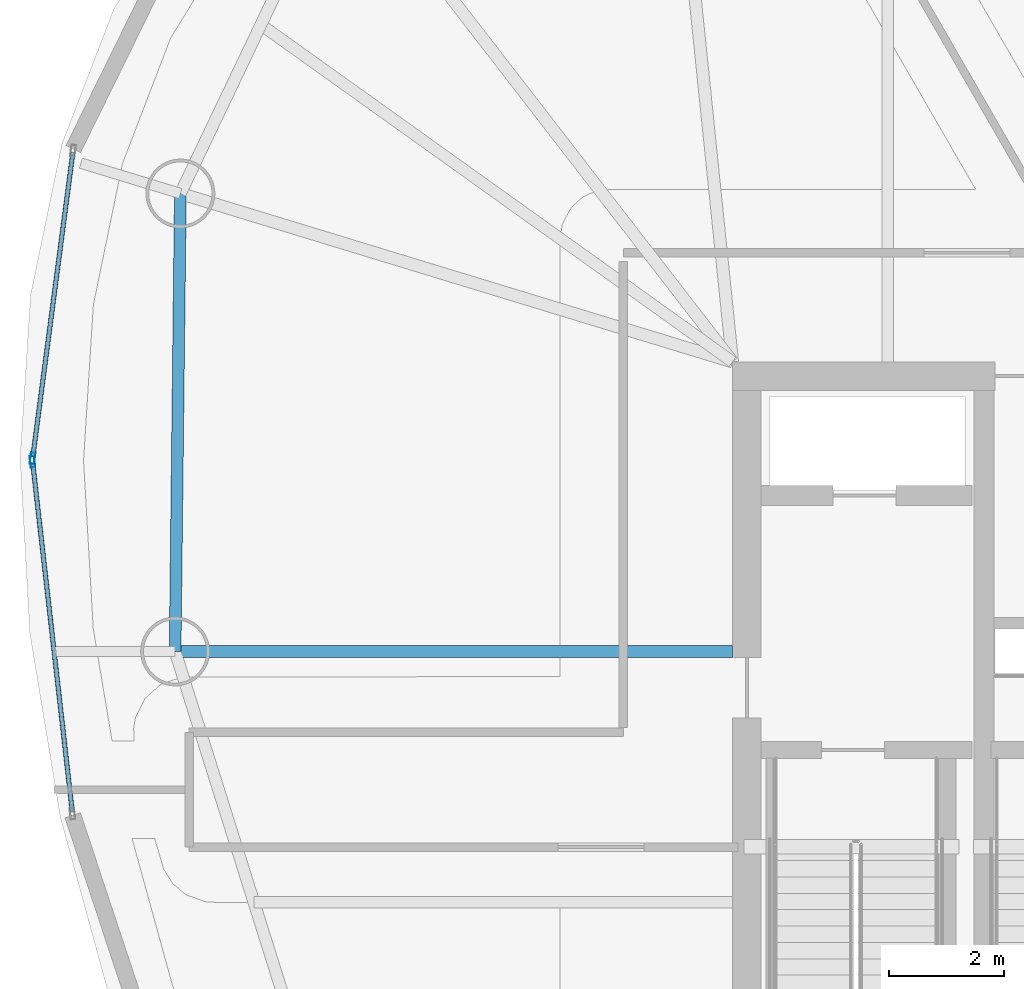
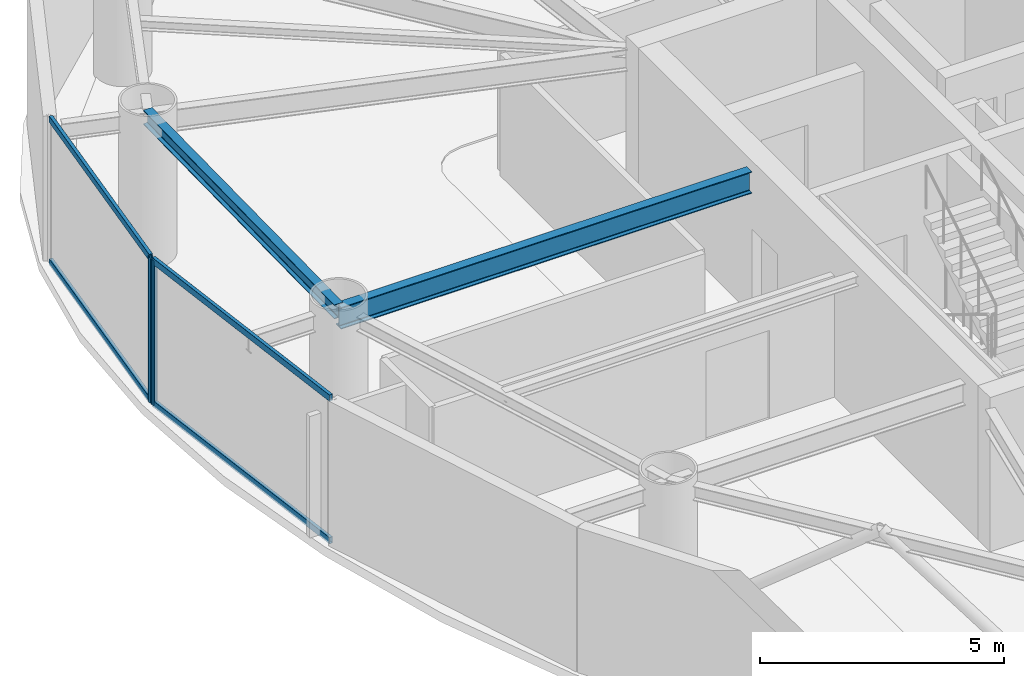
# One storey, part 5 of 20: 6 members, 2 beams, 2 elements without a shape of their own.
"""IFC4 building model written with IfcOpenShell, lengths in metres."""

from ifc_helpers import new_model, si_unit, direction, frame, origin, origin_2d, place, context, subcontext, project, spatial, hollow_rectangle, i_section, extrude, material, layer, layer_set, material_profile, profile_set, type_object, element, aggregate, save


model = new_model("IFC4")

# Units and contexts
model_context = context("Model", 3, precision=1e-05, world=origin(), true_north=direction((0.0, 1.0)))
body_context = subcontext(model_context, "Body", "Model", "MODEL_VIEW")
ifc_project = project(units=[si_unit("LENGTHUNIT", "METRE"), si_unit("AREAUNIT", "SQUARE_METRE"), si_unit("VOLUMEUNIT", "CUBIC_METRE"), si_unit("PLANEANGLEUNIT", "RADIAN"), si_unit("MASSUNIT", "GRAM", prefix="KILO")], contexts=[model_context])

# Site, building, storey
site_placement = place(None, origin())
site = spatial("IfcSite", under=ifc_project, at=site_placement, CompositionType="ELEMENT")
building_placement = place(site_placement, origin())
building = spatial("IfcBuilding", under=site, at=building_placement, Name="Bramvorn Convention Spire", CompositionType="ELEMENT")
storey_placement = place(building_placement, frame((0.0, 0.0, 178.89990234375)))
storey = spatial("IfcBuildingStorey", under=building, at=storey_placement, Name="L45", CompositionType="ELEMENT", Elevation=178.89990234375)

# Beams
ifc_material_1 = material(Name="Steel CSA G40.21 Grade 350 (350W)", Category="steel")
ifc_material_profile_1 = material_profile(ifc_material_1, i_section(OverallWidth=0.205078125, OverallDepth=0.35400390625, WebThickness=0.009521484375, FlangeThickness=0.016845703125, FilletRadius=0.014892578125, at=origin_2d()))
ifc_profile_set_1 = profile_set([ifc_material_profile_1], Name="Steel CSA G40.21 Grade 350 (350W) - W360X79")
beam_type_1 = type_object("IfcBeamType", Name="BM-W360X79", PredefinedType="JOIST", material=ifc_profile_set_1)
beam_1_placement = place(storey_placement, frame((17.136962890625, 36.380615234375, 3.443115234375), z_axis=(-0.011480475367, -0.999934097171, 0.0), x_axis=(0.999934097171, -0.011480475367, 0.0)))
element("IfcBeam", 1, at=beam_1_placement, inside=storey, type_object=beam_type_1, Name="L45 mega-column ring beam 10", PredefinedType="JOIST", context=body_context, shape_type="SweptSolid", body=[
    extrude(i_section(OverallWidth=0.205078125, OverallDepth=0.35400390625, WebThickness=0.009521484375, FlangeThickness=0.016845703125, FilletRadius=0.014892578125, at=origin_2d()), origin(), (0.0, 0.0, 1.0), 7.974609375),
])
ifc_material_profile_2 = material_profile(ifc_material_1, i_section(OverallWidth=0.2119140625, OverallDepth=0.5439453125, WebThickness=0.01318359375, FlangeThickness=0.021240234375, FilletRadius=0.01904296875, at=origin_2d()))
ifc_profile_set_2 = profile_set([ifc_material_profile_2], Name="Steel CSA G40.21 Grade 350 (350W) - W530X123")
beam_type_2 = type_object("IfcBeamType", Name="BM-W530X123", PredefinedType="BEAM", material=ifc_profile_set_2)
beam_2_placement = place(storey_placement, frame((26.75, 28.406494140625, 3.31298828125), z_axis=(-1.0, 0.0, 0.0), x_axis=(0.0, -1.0, 0.0)))
element("IfcBeam", 2, at=beam_2_placement, inside=storey, type_object=beam_type_2, Name="L45 Sky-Garden back-span radial girder MC11", PredefinedType="BEAM", context=body_context, shape_type="SweptSolid", body=[
    extrude(i_section(OverallWidth=0.2119140625, OverallDepth=0.5439453125, WebThickness=0.01318359375, FlangeThickness=0.021240234375, FilletRadius=0.01904296875, at=origin_2d()), origin(), (0.0, 0.0, 1.0), 9.70458984375),
])

# Curtain wall, member
ifc_material_2 = material(Name="Anodised Bronze Unitised Curtain Wall", Category="aluminium")
ifc_layer = layer(ifc_material_2, 0.179931640625)
ifc_layer_set = layer_set([ifc_layer], Name="Anodised Bronze Unitised Curtain Wall - CW-OFF-FRIT")
curtain_wall_type = type_object("IfcCurtainWallType", Name="CW-OFF-FRIT", PredefinedType="USERDEFINED", material=ifc_layer_set)
curtain_wall_1_placement = place(storey_placement, origin())
curtain_wall_1 = element("IfcCurtainWall", 3, at=curtain_wall_1_placement, inside=storey, type_object=curtain_wall_type, Name="L45 fritted glass curtain wall 14", ObjectType="UNITISED CURTAIN WALL", PredefinedType="USERDEFINED")
ifc_material_3 = material(Name="Anodised Bronze Aluminium 6063-T6", Category="aluminium")
ifc_material_profile_3 = material_profile(ifc_material_3, hollow_rectangle(XDim=0.080078125, YDim=0.199951171875, WallThickness=0.00390625, InnerFilletRadius=0.0009765625, OuterFilletRadius=0.00390625, at=origin_2d()))
ifc_profile_set_3 = profile_set([ifc_material_profile_3], Name="Anodised Bronze Aluminium 6063-T6 - CWM80X200")
member_type_1 = type_object("IfcMemberType", Name="CW-MUL-180", PredefinedType="MULLION", material=ifc_profile_set_3)
member_1_placement = place(storey_placement, frame((14.564208984375, 31.768798828125, 0.0), z_axis=(0.0, 0.0, 1.0), x_axis=(-0.991453548082, 0.130460193143, 0.0)))
member_1 = element("IfcMember", 4, at=member_1_placement, type_object=member_type_1, Name="CW3 mullion 1", PredefinedType="MULLION", context=body_context, shape_type="SweptSolid", body=[
    extrude(hollow_rectangle(XDim=0.080078125, YDim=0.199951171875, WallThickness=0.00390625, InnerFilletRadius=0.0009765625, OuterFilletRadius=0.00390625, at=origin_2d()), origin(), (0.0, 0.0, 1.0), 3.6201171875),
])

curtain_wall_2_placement = place(storey_placement, origin())
curtain_wall_2 = element("IfcCurtainWall", 5, at=curtain_wall_2_placement, inside=storey, type_object=curtain_wall_type, Name="L45 fritted glass curtain wall 15", ObjectType="UNITISED CURTAIN WALL", PredefinedType="USERDEFINED")
member_2_placement = place(storey_placement, frame((14.5634765625, 31.709228515625, 0.0), z_axis=(0.0, 0.0, 1.0), x_axis=(-0.993629270135, -0.112698152297, 0.0)))
member_2 = element("IfcMember", 6, at=member_2_placement, type_object=member_type_1, Name="CW3 mullion 2", PredefinedType="MULLION", context=body_context, shape_type="SweptSolid", body=[
    extrude(hollow_rectangle(XDim=0.080078125, YDim=0.199951171875, WallThickness=0.00390625, InnerFilletRadius=0.0009765625, OuterFilletRadius=0.00390625, at=origin_2d()), origin(), (0.0, 0.0, 1.0), 3.6201171875),
])

# Member
ifc_material_profile_4 = material_profile(ifc_material_3, hollow_rectangle(XDim=0.080078125, YDim=0.159912109375, WallThickness=0.00390625, InnerFilletRadius=0.0009765625, OuterFilletRadius=0.00390625, at=origin_2d()))
ifc_profile_set_4 = profile_set([ifc_material_profile_4], Name="Anodised Bronze Aluminium 6063-T6 - CWT80X160")
member_type_2 = type_object("IfcMemberType", Name="CW-TRN-150", PredefinedType="USERDEFINED", material=ifc_profile_set_4)
member_3_placement = place(storey_placement, frame((14.568115234375, 31.798583984375, 0.030029296875), z_axis=(0.130463965881, 0.99145305164, 0.0), x_axis=(-0.99145305164, 0.130463965881, 0.0)))
member_3 = element("IfcMember", 7, at=member_3_placement, type_object=member_type_2, Name="CW3 transom 1.1", ObjectType="TRANSOM", PredefinedType="USERDEFINED", context=body_context, shape_type="SweptSolid", body=[
    extrude(hollow_rectangle(XDim=0.080078125, YDim=0.159912109375, WallThickness=0.00390625, InnerFilletRadius=0.0009765625, OuterFilletRadius=0.00390625, at=origin_2d()), origin(), (0.0, 0.0, 1.0), 5.344482421875),
])

member_4_placement = place(storey_placement, frame((14.568115234375, 31.798583984375, 3.590087890625), z_axis=(0.130463965881, 0.99145305164, 0.0), x_axis=(-0.99145305164, 0.130463965881, 0.0)))
member_4 = element("IfcMember", 8, at=member_4_placement, type_object=member_type_2, Name="CW3 transom 1.2", ObjectType="TRANSOM", PredefinedType="USERDEFINED", context=body_context, shape_type="SweptSolid", body=[
    extrude(hollow_rectangle(XDim=0.080078125, YDim=0.159912109375, WallThickness=0.00390625, InnerFilletRadius=0.0009765625, OuterFilletRadius=0.00390625, at=origin_2d()), origin(), (0.0, 0.0, 1.0), 5.344482421875),
])

aggregate(curtain_wall_1, [member_1, member_3, member_4])

member_5_placement = place(storey_placement, frame((15.255126953125, 25.61181640625, 0.030029296875), z_axis=(-0.112704259438, 0.99362857744, 0.0), x_axis=(-0.99362857744, -0.112704259438, 0.0)))
member_5 = element("IfcMember", 9, at=member_5_placement, type_object=member_type_2, Name="CW3 transom 1.1", ObjectType="TRANSOM", PredefinedType="USERDEFINED", context=body_context, shape_type="SweptSolid", body=[
    extrude(hollow_rectangle(XDim=0.080078125, YDim=0.159912109375, WallThickness=0.00390625, InnerFilletRadius=0.0009765625, OuterFilletRadius=0.00390625, at=origin_2d()), origin(), (0.0, 0.0, 1.0), 6.1064453125),
])

member_6_placement = place(storey_placement, frame((15.255126953125, 25.61181640625, 3.590087890625), z_axis=(-0.112704259438, 0.99362857744, 0.0), x_axis=(-0.99362857744, -0.112704259438, 0.0)))
member_6 = element("IfcMember", 10, at=member_6_placement, type_object=member_type_2, Name="CW3 transom 1.2", ObjectType="TRANSOM", PredefinedType="USERDEFINED", context=body_context, shape_type="SweptSolid", body=[
    extrude(hollow_rectangle(XDim=0.080078125, YDim=0.159912109375, WallThickness=0.00390625, InnerFilletRadius=0.0009765625, OuterFilletRadius=0.00390625, at=origin_2d()), origin(), (0.0, 0.0, 1.0), 6.1064453125),
])

aggregate(curtain_wall_2, [member_2, member_5, member_6])

save(model, "model.ifc")
